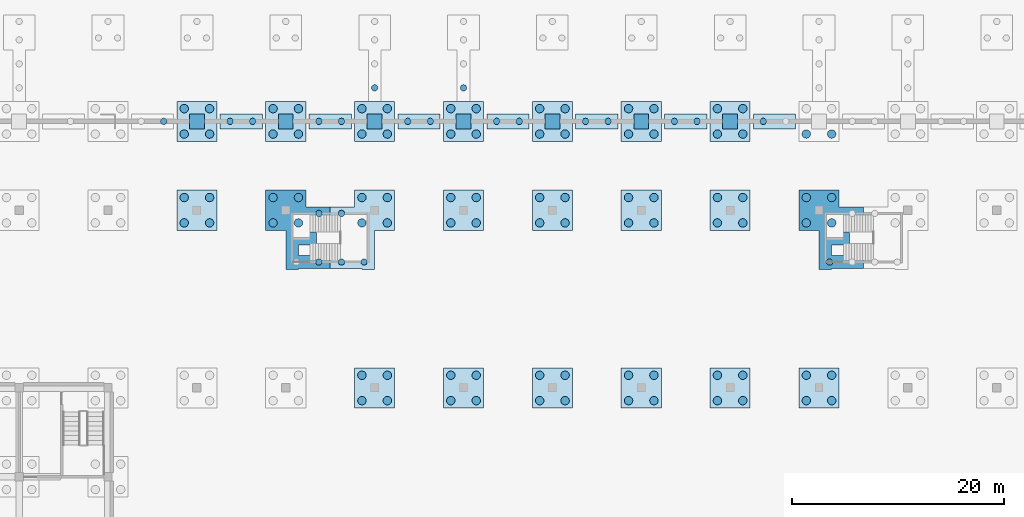
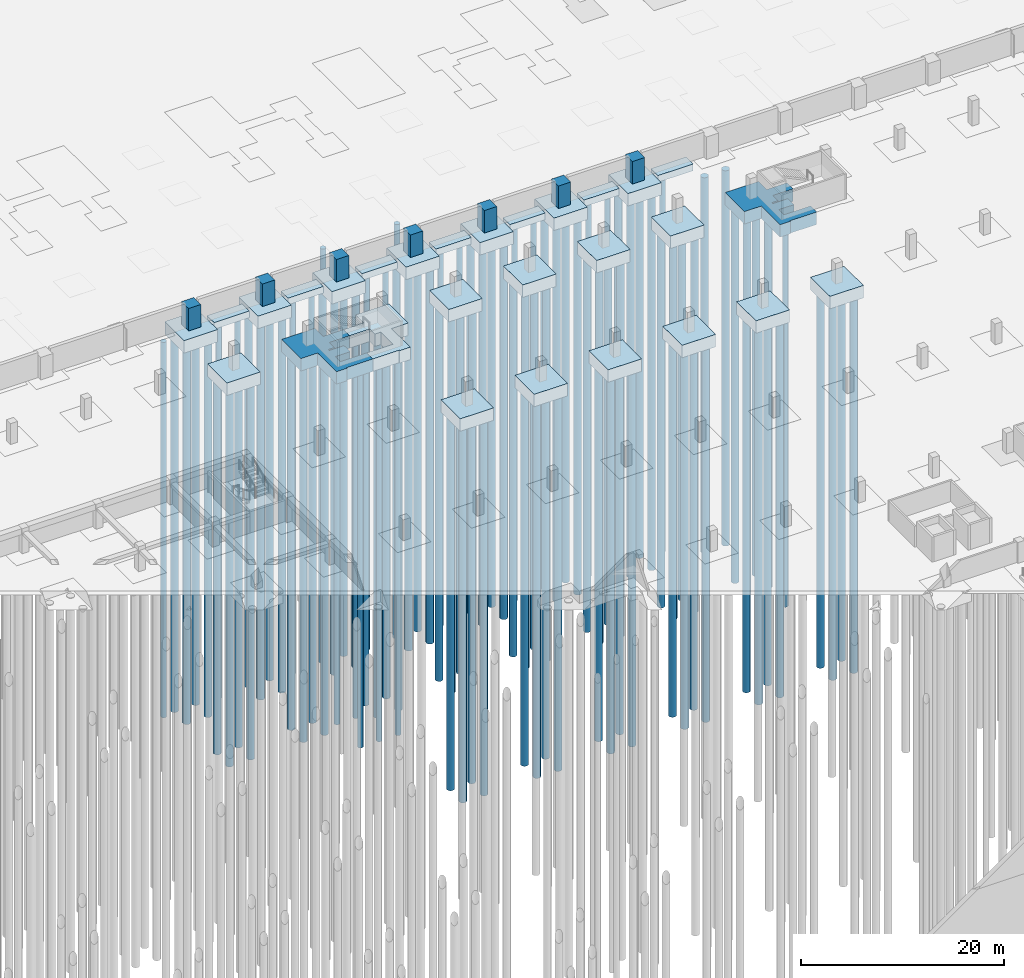
# One storey, part 5 of 67: 108 piles, 35 footings.
"""IFC4 building model written with IfcOpenShell, lengths in metres."""

from ifc_helpers import new_model, si_unit, direction, frame, origin, origin_2d, place, context, subcontext, project, spatial, polyline, circle, outline, extrude, material, material_profile, profile_set, type_object, element, save


model = new_model("IFC4")

# Units and contexts
model_context = context("Model", 3, precision=1e-05, world=origin(), true_north=direction((0.0, 1.0)))
body_context = subcontext(model_context, "Body", "Model", "MODEL_VIEW")
ifc_project = project(units=[si_unit("LENGTHUNIT", "METRE"), si_unit("AREAUNIT", "SQUARE_METRE"), si_unit("VOLUMEUNIT", "CUBIC_METRE"), si_unit("PLANEANGLEUNIT", "RADIAN"), si_unit("MASSUNIT", "GRAM", prefix="KILO")], contexts=[model_context])

# Site, building, storey
site_placement = place(None, origin())
site = spatial("IfcSite", under=ifc_project, at=site_placement, CompositionType="ELEMENT")
building_placement = place(site_placement, origin())
building = spatial("IfcBuilding", under=site, at=building_placement, Name="Rain Tree Exposition and Congress Centre", CompositionType="ELEMENT")
storey_placement = place(building_placement, frame((0.0, 0.0, -3.0)))
storey = spatial("IfcBuildingStorey", under=building, at=storey_placement, Name="B1", CompositionType="ELEMENT", Elevation=-3.0)

# Piles
ifc_material_1 = material(Name="Concrete C35/45", Category="concrete")
ifc_material_profile_1 = material_profile(ifc_material_1, circle(Radius=0.300048828125, at=origin_2d()), Name="D600")
ifc_profile_set_1 = profile_set([ifc_material_profile_1], Name="Concrete C35/45")
pile_type_1 = type_object("IfcPileType", Name="Bored pile D600", PredefinedType="BORED", material=ifc_profile_set_1)
for number, where, z_axis, x_axis, name in (
    (1, (70.333251953125, 62.300048828125, -1.425048828125), (0.0, 0.0, -1.0), (1.0, 0.0, 0.0), "Bored pile 0398"),
    (2, (70.333251953125, 66.89990234375, -1.425048828125), (0.0, 0.0, -1.0), (1.0, 0.0, 0.0), "Bored pile 0399"),
    (3, (72.466796875, 62.300048828125, -1.425048828125), (0.0, 0.0, -1.0), (1.0, 0.0, 0.0), "Bored pile 0400"),
    (4, (72.466796875, 66.89990234375, -1.425048828125), (0.0, 0.0, -1.0), (1.0, 0.0, 0.0), "Bored pile 0401"),
    (5, (74.60009765625, 62.300048828125, -1.425048828125), (0.0, 0.0, -1.0), (1.0, 0.0, 0.0), "Bored pile 0404"),
    (6, (118.60009765625, 62.300048828125, -1.425048828125), (0.0, 0.0, -1.0), (1.0, 0.0, 0.0), "Bored pile 0773"),
    (7, (84.0, 78.7666015625, 1.574951171875), (0.0, 0.0, -1.0), (1.0, 0.0, 0.0), "Bored pile 2159"),
    (8, (75.60009765625, 78.7666015625, 1.574951171875), (0.0, 0.0, -1.0), (1.0, 0.0, 0.0), "Bored pile 2163"),
    (9, (112.333251953125, 75.60009765625, -0.72509765625), (0.0, 0.0, -1.0), (1.0, 0.0, 0.0), "Bored pile 2460"),
    (10, (106.066650390625, 75.60009765625, -0.72509765625), (0.0, 0.0, -1.0), (1.0, 0.0, 0.0), "Bored pile 2461"),
    (11, (103.933349609375, 75.60009765625, -0.72509765625), (0.0, 0.0, -1.0), (1.0, 0.0, 0.0), "Bored pile 2462"),
    (12, (97.666748046875, 75.60009765625, -0.72509765625), (0.0, 0.0, -1.0), (1.0, 0.0, 0.0), "Bored pile 2463"),
    (13, (95.533203125, 75.60009765625, -0.72509765625), (0.0, 0.0, -1.0), (1.0, 0.0, 0.0), "Bored pile 2464"),
    (14, (89.2666015625, 75.60009765625, -0.72509765625), (0.0, 0.0, -1.0), (1.0, 0.0, 0.0), "Bored pile 2465"),
    (15, (87.13330078125, 75.60009765625, -0.72509765625), (0.0, 0.0, -1.0), (1.0, 0.0, 0.0), "Bored pile 2466"),
    (16, (80.86669921875, 75.60009765625, -0.72509765625), (0.0, 0.0, -1.0), (1.0, 0.0, 0.0), "Bored pile 2467"),
    (17, (78.7333984375, 75.60009765625, -0.72509765625), (0.0, 0.0, -1.0), (1.0, 0.0, 0.0), "Bored pile 2468"),
    (18, (72.466796875, 75.60009765625, -0.72509765625), (0.0, 0.0, -1.0), (1.0, 0.0, 0.0), "Bored pile 2469"),
    (19, (70.333251953125, 75.60009765625, -0.72509765625), (0.0, 0.0, -1.0), (1.0, 0.0, 0.0), "Bored pile 2470"),
    (20, (64.066650390625, 75.60009765625, -0.72509765625), (0.0, 0.0, -1.0), (1.0, 0.0, 0.0), "Bored pile 2471"),
    (21, (61.933349609375, 75.60009765625, -0.72509765625), (0.0, 0.0, -1.0), (1.0, 0.0, 0.0), "Bored pile 2472"),
    (22, (55.666748046875, 75.60009765625, -0.72509765625), (0.0, 0.0, -1.0), (1.0, 0.0, 0.0), "Bored pile 2473"),
):
    element("IfcPile", number, at=place(storey_placement, frame(where, z_axis=z_axis, x_axis=x_axis)), inside=storey, type_object=pile_type_1, Name=name, PredefinedType="BORED", context=body_context, shape_type="SweptSolid", body=[
        extrude(circle(Radius=0.300048828125, at=origin_2d()), origin(), (0.0, 0.0, 1.0), 45.074951171875),
    ])
ifc_material_2 = material(Name="Concrete C35/45", Category="concrete")
ifc_material_profile_2 = material_profile(ifc_material_2, circle(Radius=0.39990234375, at=origin_2d()), Name="D800")
ifc_profile_set_2 = profile_set([ifc_material_profile_2], Name="Concrete C35/45")
pile_type_2 = type_object("IfcPileType", Name="Bored pile D800", PredefinedType="BORED", material=ifc_profile_set_2)
for number, where, z_axis, x_axis, name in (
    (23, (57.60009765625, 66.0, -1.425048828125), (0.0, 0.0, -1.0), (1.0, 0.0, 0.0), "Bored pile 0381"),
    (24, (60.0, 66.0, -1.425048828125), (0.0, 0.0, -1.0), (1.0, 0.0, 0.0), "Bored pile 0382"),
    (25, (57.60009765625, 68.39990234375, -1.425048828125), (0.0, 0.0, -1.0), (1.0, 0.0, 0.0), "Bored pile 0383"),
    (26, (60.0, 68.39990234375, -1.425048828125), (0.0, 0.0, -1.0), (1.0, 0.0, 0.0), "Bored pile 0384"),
    (27, (66.0, 66.0, -1.425048828125), (0.0, 0.0, -1.0), (1.0, 0.0, 0.0), "Bored pile 0393"),
    (28, (66.0, 68.39990234375, -1.425048828125), (0.0, 0.0, -1.0), (1.0, 0.0, 0.0), "Bored pile 0394"),
    (29, (68.39990234375, 66.0, -1.425048828125), (0.0, 0.0, -1.0), (1.0, 0.0, 0.0), "Bored pile 0396"),
    (30, (68.39990234375, 68.39990234375, -1.425048828125), (0.0, 0.0, -1.0), (1.0, 0.0, 0.0), "Bored pile 0397"),
    (31, (74.39990234375, 66.0, -1.425048828125), (0.0, 0.0, -1.0), (1.0, 0.0, 0.0), "Bored pile 0402"),
    (32, (74.39990234375, 68.39990234375, -1.425048828125), (0.0, 0.0, -1.0), (1.0, 0.0, 0.0), "Bored pile 0403"),
    (33, (76.800048828125, 66.0, -1.425048828125), (0.0, 0.0, -1.0), (1.0, 0.0, 0.0), "Bored pile 0405"),
    (34, (76.800048828125, 68.39990234375, -1.425048828125), (0.0, 0.0, -1.0), (1.0, 0.0, 0.0), "Bored pile 0406"),
    (35, (57.60009765625, 74.39990234375, -1.425048828125), (0.0, 0.0, -1.0), (1.0, 0.0, 0.0), "Bored pile 0411"),
    (36, (60.0, 74.39990234375, -1.425048828125), (0.0, 0.0, -1.0), (1.0, 0.0, 0.0), "Bored pile 0412"),
    (37, (57.60009765625, 76.800048828125, -1.425048828125), (0.0, 0.0, -1.0), (1.0, 0.0, 0.0), "Bored pile 0413"),
    (38, (60.0, 76.800048828125, -1.425048828125), (0.0, 0.0, -1.0), (1.0, 0.0, 0.0), "Bored pile 0414"),
    (39, (66.0, 74.39990234375, -1.425048828125), (0.0, 0.0, -1.0), (1.0, 0.0, 0.0), "Bored pile 0415"),
    (40, (68.39990234375, 74.39990234375, -1.425048828125), (0.0, 0.0, -1.0), (1.0, 0.0, 0.0), "Bored pile 0416"),
    (41, (66.0, 76.800048828125, -1.425048828125), (0.0, 0.0, -1.0), (1.0, 0.0, 0.0), "Bored pile 0417"),
    (42, (68.39990234375, 76.800048828125, -1.425048828125), (0.0, 0.0, -1.0), (1.0, 0.0, 0.0), "Bored pile 0418"),
    (43, (82.800048828125, 49.199951171875, -1.425048828125), (0.0, 0.0, -1.0), (1.0, 0.0, 0.0), "Bored pile 0582"),
    (44, (85.199951171875, 49.199951171875, -1.425048828125), (0.0, 0.0, -1.0), (1.0, 0.0, 0.0), "Bored pile 0583"),
    (45, (82.800048828125, 51.60009765625, -1.425048828125), (0.0, 0.0, -1.0), (1.0, 0.0, 0.0), "Bored pile 0584"),
    (46, (85.199951171875, 51.60009765625, -1.425048828125), (0.0, 0.0, -1.0), (1.0, 0.0, 0.0), "Bored pile 0585"),
    (47, (74.39990234375, 49.199951171875, -1.425048828125), (0.0, 0.0, -1.0), (1.0, 0.0, 0.0), "Bored pile 0586"),
    (48, (76.800048828125, 49.199951171875, -1.425048828125), (0.0, 0.0, -1.0), (1.0, 0.0, 0.0), "Bored pile 0587"),
    (49, (74.39990234375, 51.60009765625, -1.425048828125), (0.0, 0.0, -1.0), (1.0, 0.0, 0.0), "Bored pile 0588"),
    (50, (76.800048828125, 51.60009765625, -1.425048828125), (0.0, 0.0, -1.0), (1.0, 0.0, 0.0), "Bored pile 0589"),
    (51, (91.199951171875, 49.199951171875, -1.425048828125), (0.0, 0.0, -1.0), (1.0, 0.0, 0.0), "Bored pile 0590"),
    (52, (93.60009765625, 49.199951171875, -1.425048828125), (0.0, 0.0, -1.0), (1.0, 0.0, 0.0), "Bored pile 0591"),
    (53, (91.199951171875, 51.60009765625, -1.425048828125), (0.0, 0.0, -1.0), (1.0, 0.0, 0.0), "Bored pile 0592"),
    (54, (93.60009765625, 51.60009765625, -1.425048828125), (0.0, 0.0, -1.0), (1.0, 0.0, 0.0), "Bored pile 0593"),
    (55, (99.60009765625, 66.0, -1.425048828125), (0.0, 0.0, -1.0), (1.0, 0.0, 0.0), "Bored pile 0594"),
    (56, (102.0, 66.0, -1.425048828125), (0.0, 0.0, -1.0), (1.0, 0.0, 0.0), "Bored pile 0595"),
    (57, (99.60009765625, 68.39990234375, -1.425048828125), (0.0, 0.0, -1.0), (1.0, 0.0, 0.0), "Bored pile 0596"),
    (58, (102.0, 68.39990234375, -1.425048828125), (0.0, 0.0, -1.0), (1.0, 0.0, 0.0), "Bored pile 0597"),
    (59, (82.800048828125, 66.0, -1.425048828125), (0.0, 0.0, -1.0), (1.0, 0.0, 0.0), "Bored pile 0598"),
    (60, (85.199951171875, 66.0, -1.425048828125), (0.0, 0.0, -1.0), (1.0, 0.0, 0.0), "Bored pile 0599"),
    (61, (82.800048828125, 68.39990234375, -1.425048828125), (0.0, 0.0, -1.0), (1.0, 0.0, 0.0), "Bored pile 0600"),
    (62, (85.199951171875, 68.39990234375, -1.425048828125), (0.0, 0.0, -1.0), (1.0, 0.0, 0.0), "Bored pile 0601"),
    (63, (91.199951171875, 66.0, -1.425048828125), (0.0, 0.0, -1.0), (1.0, 0.0, 0.0), "Bored pile 0602"),
    (64, (93.60009765625, 66.0, -1.425048828125), (0.0, 0.0, -1.0), (1.0, 0.0, 0.0), "Bored pile 0603"),
    (65, (91.199951171875, 68.39990234375, -1.425048828125), (0.0, 0.0, -1.0), (1.0, 0.0, 0.0), "Bored pile 0604"),
    (66, (93.60009765625, 68.39990234375, -1.425048828125), (0.0, 0.0, -1.0), (1.0, 0.0, 0.0), "Bored pile 0605"),
    (67, (74.39990234375, 74.39990234375, -1.425048828125), (0.0, 0.0, -1.0), (1.0, 0.0, 0.0), "Bored pile 0606"),
    (68, (76.800048828125, 74.39990234375, -1.425048828125), (0.0, 0.0, -1.0), (1.0, 0.0, 0.0), "Bored pile 0607"),
    (69, (74.39990234375, 76.800048828125, -1.425048828125), (0.0, 0.0, -1.0), (1.0, 0.0, 0.0), "Bored pile 0608"),
    (70, (76.800048828125, 76.800048828125, -1.425048828125), (0.0, 0.0, -1.0), (1.0, 0.0, 0.0), "Bored pile 0609"),
    (71, (82.800048828125, 74.39990234375, -1.425048828125), (0.0, 0.0, -1.0), (1.0, 0.0, 0.0), "Bored pile 0610"),
    (72, (85.199951171875, 74.39990234375, -1.425048828125), (0.0, 0.0, -1.0), (1.0, 0.0, 0.0), "Bored pile 0611"),
    (73, (82.800048828125, 76.800048828125, -1.425048828125), (0.0, 0.0, -1.0), (1.0, 0.0, 0.0), "Bored pile 0612"),
    (74, (85.199951171875, 76.800048828125, -1.425048828125), (0.0, 0.0, -1.0), (1.0, 0.0, 0.0), "Bored pile 0613"),
    (75, (91.199951171875, 74.39990234375, -1.425048828125), (0.0, 0.0, -1.0), (1.0, 0.0, 0.0), "Bored pile 0614"),
    (76, (93.60009765625, 74.39990234375, -1.425048828125), (0.0, 0.0, -1.0), (1.0, 0.0, 0.0), "Bored pile 0615"),
    (77, (91.199951171875, 76.800048828125, -1.425048828125), (0.0, 0.0, -1.0), (1.0, 0.0, 0.0), "Bored pile 0616"),
    (78, (93.60009765625, 76.800048828125, -1.425048828125), (0.0, 0.0, -1.0), (1.0, 0.0, 0.0), "Bored pile 0617"),
    (79, (99.60009765625, 74.39990234375, -1.425048828125), (0.0, 0.0, -1.0), (1.0, 0.0, 0.0), "Bored pile 0618"),
    (80, (102.0, 74.39990234375, -1.425048828125), (0.0, 0.0, -1.0), (1.0, 0.0, 0.0), "Bored pile 0619"),
    (81, (99.60009765625, 76.800048828125, -1.425048828125), (0.0, 0.0, -1.0), (1.0, 0.0, 0.0), "Bored pile 0620"),
    (82, (102.0, 76.800048828125, -1.425048828125), (0.0, 0.0, -1.0), (1.0, 0.0, 0.0), "Bored pile 0621"),
    (83, (99.60009765625, 49.199951171875, -1.425048828125), (0.0, 0.0, -1.0), (1.0, 0.0, 0.0), "Bored pile 0759"),
    (84, (102.0, 49.199951171875, -1.425048828125), (0.0, 0.0, -1.0), (1.0, 0.0, 0.0), "Bored pile 0760"),
    (85, (99.60009765625, 51.60009765625, -1.425048828125), (0.0, 0.0, -1.0), (1.0, 0.0, 0.0), "Bored pile 0761"),
    (86, (102.0, 51.60009765625, -1.425048828125), (0.0, 0.0, -1.0), (1.0, 0.0, 0.0), "Bored pile 0762"),
    (87, (116.39990234375, 49.199951171875, -1.425048828125), (0.0, 0.0, -1.0), (1.0, 0.0, 0.0), "Bored pile 0763"),
    (88, (118.800048828125, 49.199951171875, -1.425048828125), (0.0, 0.0, -1.0), (1.0, 0.0, 0.0), "Bored pile 0764"),
    (89, (116.39990234375, 51.60009765625, -1.425048828125), (0.0, 0.0, -1.0), (1.0, 0.0, 0.0), "Bored pile 0765"),
    (90, (118.800048828125, 51.60009765625, -1.425048828125), (0.0, 0.0, -1.0), (1.0, 0.0, 0.0), "Bored pile 0766"),
    (91, (108.0, 49.199951171875, -1.425048828125), (0.0, 0.0, -1.0), (1.0, 0.0, 0.0), "Bored pile 0767"),
    (92, (110.39990234375, 49.199951171875, -1.425048828125), (0.0, 0.0, -1.0), (1.0, 0.0, 0.0), "Bored pile 0768"),
    (93, (108.0, 51.60009765625, -1.425048828125), (0.0, 0.0, -1.0), (1.0, 0.0, 0.0), "Bored pile 0769"),
    (94, (110.39990234375, 51.60009765625, -1.425048828125), (0.0, 0.0, -1.0), (1.0, 0.0, 0.0), "Bored pile 0770"),
    (95, (116.39990234375, 66.0, -1.425048828125), (0.0, 0.0, -1.0), (1.0, 0.0, 0.0), "Bored pile 0771"),
    (96, (116.39990234375, 68.39990234375, -1.425048828125), (0.0, 0.0, -1.0), (1.0, 0.0, 0.0), "Bored pile 0772"),
    (97, (118.800048828125, 66.0, -1.425048828125), (0.0, 0.0, -1.0), (1.0, 0.0, 0.0), "Bored pile 0774"),
    (98, (118.800048828125, 68.39990234375, -1.425048828125), (0.0, 0.0, -1.0), (1.0, 0.0, 0.0), "Bored pile 0775"),
    (99, (108.0, 66.0, -1.425048828125), (0.0, 0.0, -1.0), (1.0, 0.0, 0.0), "Bored pile 0785"),
    (100, (110.39990234375, 66.0, -1.425048828125), (0.0, 0.0, -1.0), (1.0, 0.0, 0.0), "Bored pile 0786"),
    (101, (108.0, 68.39990234375, -1.425048828125), (0.0, 0.0, -1.0), (1.0, 0.0, 0.0), "Bored pile 0787"),
    (102, (110.39990234375, 68.39990234375, -1.425048828125), (0.0, 0.0, -1.0), (1.0, 0.0, 0.0), "Bored pile 0788"),
    (103, (108.0, 74.39990234375, -1.425048828125), (0.0, 0.0, -1.0), (1.0, 0.0, 0.0), "Bored pile 0789"),
    (104, (110.39990234375, 74.39990234375, -1.425048828125), (0.0, 0.0, -1.0), (1.0, 0.0, 0.0), "Bored pile 0790"),
    (105, (108.0, 76.800048828125, -1.425048828125), (0.0, 0.0, -1.0), (1.0, 0.0, 0.0), "Bored pile 0791"),
    (106, (110.39990234375, 76.800048828125, -1.425048828125), (0.0, 0.0, -1.0), (1.0, 0.0, 0.0), "Bored pile 0792"),
    (107, (116.39990234375, 74.39990234375, -1.425048828125), (0.0, 0.0, -1.0), (1.0, 0.0, 0.0), "Bored pile 0793"),
    (108, (118.800048828125, 74.39990234375, -1.425048828125), (0.0, 0.0, -1.0), (1.0, 0.0, 0.0), "Bored pile 0794"),
):
    element("IfcPile", number, at=place(storey_placement, frame(where, z_axis=z_axis, x_axis=x_axis)), inside=storey, type_object=pile_type_2, Name=name, PredefinedType="BORED", context=body_context, shape_type="SweptSolid", body=[
        extrude(circle(Radius=0.39990234375, at=origin_2d()), origin(), (0.0, 0.0, 1.0), 45.074951171875),
    ])

# Footings
ifc_material_3 = material(Name="Concrete C35/45", Category="concrete")
footing_type_1 = type_object("IfcFootingType", Name="Pier cap 2700 thick", PredefinedType="PILE_CAP", material=ifc_material_3)
footing_1_placement = place(storey_placement, origin())
element("IfcFooting", 109, at=footing_1_placement, inside=storey, type_object=footing_type_1, Name="Pier cap 037", PredefinedType="PILE_CAP", context=body_context, shape_type="SweptSolid", body=[
    extrude(outline(polyline([(58.10009765625, 74.89990234375), (59.5, 74.89990234375), (59.5, 76.300048828125), (58.10009765625, 76.300048828125), (58.10009765625, 74.89990234375)])), origin(), (0.0, 0.0, 1.0), 2.699951171875),
])
footing_2_placement = place(storey_placement, origin())
element("IfcFooting", 110, at=footing_2_placement, inside=storey, type_object=footing_type_1, Name="Pier cap 038", PredefinedType="PILE_CAP", context=body_context, shape_type="SweptSolid", body=[
    extrude(outline(polyline([(66.5, 74.89990234375), (67.89990234375, 74.89990234375), (67.89990234375, 76.300048828125), (66.5, 76.300048828125), (66.5, 74.89990234375)])), origin(), (0.0, 0.0, 1.0), 2.699951171875),
])
footing_3_placement = place(storey_placement, origin())
element("IfcFooting", 111, at=footing_3_placement, inside=storey, type_object=footing_type_1, Name="Pier cap 039", PredefinedType="PILE_CAP", context=body_context, shape_type="SweptSolid", body=[
    extrude(outline(polyline([(74.89990234375, 74.89990234375), (76.300048828125, 74.89990234375), (76.300048828125, 76.300048828125), (74.89990234375, 76.300048828125), (74.89990234375, 74.89990234375)])), origin(), (0.0, 0.0, 1.0), 2.699951171875),
])
footing_4_placement = place(storey_placement, origin())
element("IfcFooting", 112, at=footing_4_placement, inside=storey, type_object=footing_type_1, Name="Pier cap 040", PredefinedType="PILE_CAP", context=body_context, shape_type="SweptSolid", body=[
    extrude(outline(polyline([(83.300048828125, 74.89990234375), (84.699951171875, 74.89990234375), (84.699951171875, 76.300048828125), (83.300048828125, 76.300048828125), (83.300048828125, 74.89990234375)])), origin(), (0.0, 0.0, 1.0), 2.699951171875),
])
footing_5_placement = place(storey_placement, origin())
element("IfcFooting", 113, at=footing_5_placement, inside=storey, type_object=footing_type_1, Name="Pier cap 041", PredefinedType="PILE_CAP", context=body_context, shape_type="SweptSolid", body=[
    extrude(outline(polyline([(91.699951171875, 74.89990234375), (93.10009765625, 74.89990234375), (93.10009765625, 76.300048828125), (91.699951171875, 76.300048828125), (91.699951171875, 74.89990234375)])), origin(), (0.0, 0.0, 1.0), 2.699951171875),
])
footing_6_placement = place(storey_placement, origin())
element("IfcFooting", 114, at=footing_6_placement, inside=storey, type_object=footing_type_1, Name="Pier cap 042", PredefinedType="PILE_CAP", context=body_context, shape_type="SweptSolid", body=[
    extrude(outline(polyline([(100.10009765625, 74.89990234375), (101.5, 74.89990234375), (101.5, 76.300048828125), (100.10009765625, 76.300048828125), (100.10009765625, 74.89990234375)])), origin(), (0.0, 0.0, 1.0), 2.699951171875),
])
footing_7_placement = place(storey_placement, origin())
element("IfcFooting", 115, at=footing_7_placement, inside=storey, type_object=footing_type_1, Name="Pier cap 043", PredefinedType="PILE_CAP", context=body_context, shape_type="SweptSolid", body=[
    extrude(outline(polyline([(108.5, 74.89990234375), (109.89990234375, 74.89990234375), (109.89990234375, 76.300048828125), (108.5, 76.300048828125), (108.5, 74.89990234375)])), origin(), (0.0, 0.0, 1.0), 2.699951171875),
])
ifc_material_4 = material(Name="Concrete C35/45", Category="concrete")
footing_type_2 = type_object("IfcFootingType", Name="Pile cap 1500 thick", PredefinedType="PILE_CAP", material=ifc_material_4)
footing_8_placement = place(storey_placement, frame((0.0, 0.0, -1.5)))
element("IfcFooting", 116, at=footing_8_placement, inside=storey, type_object=footing_type_2, Name="Pile cap 078", PredefinedType="PILE_CAP", context=body_context, shape_type="SweptSolid", body=[
    extrude(outline(polyline([(60.699951171875, 65.300048828125), (60.699951171875, 69.10009765625), (56.89990234375, 69.10009765625), (56.89990234375, 65.300048828125), (60.699951171875, 65.300048828125)])), origin(), (0.0, 0.0, 1.0), 1.5),
])
footing_9_placement = place(storey_placement, frame((0.0, 0.0, -1.5)))
element("IfcFooting", 117, at=footing_9_placement, inside=storey, type_object=footing_type_2, Name="Pile cap 082", PredefinedType="PILE_CAP", context=body_context, shape_type="SweptSolid", body=[
    extrude(outline(polyline([(60.699951171875, 73.699951171875), (60.699951171875, 77.5), (56.89990234375, 77.5), (56.89990234375, 73.699951171875), (60.699951171875, 73.699951171875)])), origin(), (0.0, 0.0, 1.0), 1.5),
])
footing_10_placement = place(storey_placement, frame((0.0, 0.0, -1.5)))
element("IfcFooting", 118, at=footing_10_placement, inside=storey, type_object=footing_type_2, Name="Pile cap 083", PredefinedType="PILE_CAP", context=body_context, shape_type="SweptSolid", body=[
    extrude(outline(polyline([(69.10009765625, 73.699951171875), (69.10009765625, 77.5), (65.300048828125, 77.5), (65.300048828125, 73.699951171875), (69.10009765625, 73.699951171875)])), origin(), (0.0, 0.0, 1.0), 1.5),
])
footing_11_placement = place(storey_placement, frame((0.0, 0.0, -1.5)))
element("IfcFooting", 119, at=footing_11_placement, inside=storey, type_object=footing_type_2, Name="Pile cap 113", PredefinedType="PILE_CAP", context=body_context, shape_type="SweptSolid", body=[
    extrude(outline(polyline([(85.89990234375, 48.5), (85.89990234375, 52.300048828125), (82.10009765625, 52.300048828125), (82.10009765625, 48.5), (85.89990234375, 48.5)])), origin(), (0.0, 0.0, 1.0), 1.5),
])
footing_12_placement = place(storey_placement, frame((0.0, 0.0, -1.5)))
element("IfcFooting", 120, at=footing_12_placement, inside=storey, type_object=footing_type_2, Name="Pile cap 114", PredefinedType="PILE_CAP", context=body_context, shape_type="SweptSolid", body=[
    extrude(outline(polyline([(77.5, 48.5), (77.5, 52.300048828125), (73.699951171875, 52.300048828125), (73.699951171875, 48.5), (77.5, 48.5)])), origin(), (0.0, 0.0, 1.0), 1.5),
])
footing_13_placement = place(storey_placement, frame((0.0, 0.0, -1.5)))
element("IfcFooting", 121, at=footing_13_placement, inside=storey, type_object=footing_type_2, Name="Pile cap 115", PredefinedType="PILE_CAP", context=body_context, shape_type="SweptSolid", body=[
    extrude(outline(polyline([(94.300048828125, 48.5), (94.300048828125, 52.300048828125), (90.5, 52.300048828125), (90.5, 48.5), (94.300048828125, 48.5)])), origin(), (0.0, 0.0, 1.0), 1.5),
])
footing_14_placement = place(storey_placement, frame((0.0, 0.0, -1.5)))
element("IfcFooting", 122, at=footing_14_placement, inside=storey, type_object=footing_type_2, Name="Pile cap 116", PredefinedType="PILE_CAP", context=body_context, shape_type="SweptSolid", body=[
    extrude(outline(polyline([(102.699951171875, 65.300048828125), (102.699951171875, 69.10009765625), (98.89990234375, 69.10009765625), (98.89990234375, 65.300048828125), (102.699951171875, 65.300048828125)])), origin(), (0.0, 0.0, 1.0), 1.5),
])
footing_15_placement = place(storey_placement, frame((0.0, 0.0, -1.5)))
element("IfcFooting", 123, at=footing_15_placement, inside=storey, type_object=footing_type_2, Name="Pile cap 117", PredefinedType="PILE_CAP", context=body_context, shape_type="SweptSolid", body=[
    extrude(outline(polyline([(85.89990234375, 65.300048828125), (85.89990234375, 69.10009765625), (82.10009765625, 69.10009765625), (82.10009765625, 65.300048828125), (85.89990234375, 65.300048828125)])), origin(), (0.0, 0.0, 1.0), 1.5),
])
footing_16_placement = place(storey_placement, frame((0.0, 0.0, -1.5)))
element("IfcFooting", 124, at=footing_16_placement, inside=storey, type_object=footing_type_2, Name="Pile cap 118", PredefinedType="PILE_CAP", context=body_context, shape_type="SweptSolid", body=[
    extrude(outline(polyline([(94.300048828125, 65.300048828125), (94.300048828125, 69.10009765625), (90.5, 69.10009765625), (90.5, 65.300048828125), (94.300048828125, 65.300048828125)])), origin(), (0.0, 0.0, 1.0), 1.5),
])
footing_17_placement = place(storey_placement, frame((0.0, 0.0, -1.5)))
element("IfcFooting", 125, at=footing_17_placement, inside=storey, type_object=footing_type_2, Name="Pile cap 119", PredefinedType="PILE_CAP", context=body_context, shape_type="SweptSolid", body=[
    extrude(outline(polyline([(77.5, 73.699951171875), (77.5, 77.5), (73.699951171875, 77.5), (73.699951171875, 73.699951171875), (77.5, 73.699951171875)])), origin(), (0.0, 0.0, 1.0), 1.5),
])
footing_18_placement = place(storey_placement, frame((0.0, 0.0, -1.5)))
element("IfcFooting", 126, at=footing_18_placement, inside=storey, type_object=footing_type_2, Name="Pile cap 120", PredefinedType="PILE_CAP", context=body_context, shape_type="SweptSolid", body=[
    extrude(outline(polyline([(85.89990234375, 73.699951171875), (85.89990234375, 77.5), (82.10009765625, 77.5), (82.10009765625, 73.699951171875), (85.89990234375, 73.699951171875)])), origin(), (0.0, 0.0, 1.0), 1.5),
])
footing_19_placement = place(storey_placement, frame((0.0, 0.0, -1.5)))
element("IfcFooting", 127, at=footing_19_placement, inside=storey, type_object=footing_type_2, Name="Pile cap 121", PredefinedType="PILE_CAP", context=body_context, shape_type="SweptSolid", body=[
    extrude(outline(polyline([(94.300048828125, 73.699951171875), (94.300048828125, 77.5), (90.5, 77.5), (90.5, 73.699951171875), (94.300048828125, 73.699951171875)])), origin(), (0.0, 0.0, 1.0), 1.5),
])
footing_20_placement = place(storey_placement, frame((0.0, 0.0, -1.5)))
element("IfcFooting", 128, at=footing_20_placement, inside=storey, type_object=footing_type_2, Name="Pile cap 122", PredefinedType="PILE_CAP", context=body_context, shape_type="SweptSolid", body=[
    extrude(outline(polyline([(102.699951171875, 73.699951171875), (102.699951171875, 77.5), (98.89990234375, 77.5), (98.89990234375, 73.699951171875), (102.699951171875, 73.699951171875)])), origin(), (0.0, 0.0, 1.0), 1.5),
])
footing_21_placement = place(storey_placement, frame((0.0, 0.0, -1.5)))
element("IfcFooting", 129, at=footing_21_placement, inside=storey, type_object=footing_type_2, Name="Pile cap 149", PredefinedType="PILE_CAP", context=body_context, shape_type="SweptSolid", body=[
    extrude(outline(polyline([(102.699951171875, 48.5), (102.699951171875, 52.300048828125), (98.89990234375, 52.300048828125), (98.89990234375, 48.5), (102.699951171875, 48.5)])), origin(), (0.0, 0.0, 1.0), 1.5),
])
footing_22_placement = place(storey_placement, frame((0.0, 0.0, -1.5)))
element("IfcFooting", 130, at=footing_22_placement, inside=storey, type_object=footing_type_2, Name="Pile cap 150", PredefinedType="PILE_CAP", context=body_context, shape_type="SweptSolid", body=[
    extrude(outline(polyline([(119.5, 48.5), (119.5, 52.300048828125), (115.699951171875, 52.300048828125), (115.699951171875, 48.5), (119.5, 48.5)])), origin(), (0.0, 0.0, 1.0), 1.5),
])
footing_23_placement = place(storey_placement, frame((0.0, 0.0, -1.5)))
element("IfcFooting", 131, at=footing_23_placement, inside=storey, type_object=footing_type_2, Name="Pile cap 151", PredefinedType="PILE_CAP", context=body_context, shape_type="SweptSolid", body=[
    extrude(outline(polyline([(111.10009765625, 48.5), (111.10009765625, 52.300048828125), (107.300048828125, 52.300048828125), (107.300048828125, 48.5), (111.10009765625, 48.5)])), origin(), (0.0, 0.0, 1.0), 1.5),
])
footing_24_placement = place(storey_placement, frame((0.0, 0.0, -1.5)))
element("IfcFooting", 132, at=footing_24_placement, inside=storey, type_object=footing_type_2, Name="Pile cap 152", PredefinedType="PILE_CAP", context=body_context, shape_type="SweptSolid", body=[
    extrude(outline(polyline([(111.10009765625, 65.300048828125), (111.10009765625, 69.10009765625), (107.300048828125, 69.10009765625), (107.300048828125, 65.300048828125), (111.10009765625, 65.300048828125)])), origin(), (0.0, 0.0, 1.0), 1.5),
])
footing_25_placement = place(storey_placement, frame((0.0, 0.0, -1.5)))
element("IfcFooting", 133, at=footing_25_placement, inside=storey, type_object=footing_type_2, Name="Pile cap 153", PredefinedType="PILE_CAP", context=body_context, shape_type="SweptSolid", body=[
    extrude(outline(polyline([(111.10009765625, 73.699951171875), (111.10009765625, 77.5), (107.300048828125, 77.5), (107.300048828125, 73.699951171875), (111.10009765625, 73.699951171875)])), origin(), (0.0, 0.0, 1.0), 1.5),
])
ifc_material_5 = material(Name="Concrete C35/45", Category="concrete")
footing_type_3 = type_object("IfcFootingType", Name="Strip footing 1500 thick", PredefinedType="STRIP_FOOTING", material=ifc_material_5)
footing_26_placement = place(storey_placement, frame((0.0, 0.0, -1.5)))
element("IfcFooting", 134, at=footing_26_placement, inside=storey, type_object=footing_type_3, Name="Strip footing 007", PredefinedType="STRIP_FOOTING", context=body_context, shape_type="SweptSolid", body=[
    extrude(outline(polyline([(68.39990234375, 61.60009765625), (68.39990234375, 61.699951171875), (71.39990234375, 61.699951171875), (71.39990234375, 62.89990234375), (68.39990234375, 62.89990234375), (68.39990234375, 63.89990234375), (70.10009765625, 63.89990234375), (70.10009765625, 65.10009765625), (69.5, 65.10009765625), (68.39990234375, 65.10009765625), (68.39990234375, 65.300048828125), (69.10009765625, 65.300048828125), (69.10009765625, 66.300048828125), (71.39990234375, 66.300048828125), (71.39990234375, 67.5), (69.10009765625, 67.5), (69.10009765625, 69.10009765625), (65.300048828125, 69.10009765625), (65.300048828125, 65.300048828125), (67.199951171875, 65.300048828125), (67.199951171875, 61.60009765625), (68.39990234375, 61.60009765625)])), origin(), (0.0, 0.0, 1.0), 1.5),
])
footing_27_placement = place(storey_placement, frame((0.0, 0.0, -1.5)))
element("IfcFooting", 135, at=footing_27_placement, inside=storey, type_object=footing_type_3, Name="Strip footing 008", PredefinedType="STRIP_FOOTING", context=body_context, shape_type="SweptSolid", body=[
    extrude(outline(polyline([(73.699951171875, 67.5), (71.39990234375, 67.5), (71.39990234375, 66.300048828125), (73.699951171875, 66.300048828125), (73.699951171875, 65.300048828125), (74.39990234375, 65.300048828125), (74.39990234375, 62.89990234375), (71.39990234375, 62.89990234375), (71.39990234375, 61.699951171875), (74.39990234375, 61.699951171875), (74.39990234375, 61.60009765625), (75.60009765625, 61.60009765625), (75.60009765625, 62.199951171875), (75.60009765625, 65.300048828125), (77.5, 65.300048828125), (77.5, 69.10009765625), (73.699951171875, 69.10009765625), (73.699951171875, 67.5)])), origin(), (0.0, 0.0, 1.0), 1.5),
])
footing_28_placement = place(storey_placement, frame((0.0, 0.0, -1.5)))
element("IfcFooting", 136, at=footing_28_placement, inside=storey, type_object=footing_type_3, Name="Strip footing 022", PredefinedType="STRIP_FOOTING", context=body_context, shape_type="SweptSolid", body=[
    extrude(outline(polyline([(118.800048828125, 61.60009765625), (118.800048828125, 61.699951171875), (121.800048828125, 61.699951171875), (121.800048828125, 62.89990234375), (118.800048828125, 62.89990234375), (118.800048828125, 63.89990234375), (120.5, 63.89990234375), (120.5, 65.10009765625), (119.89990234375, 65.10009765625), (118.800048828125, 65.10009765625), (118.800048828125, 65.300048828125), (119.5, 65.300048828125), (119.5, 66.300048828125), (121.800048828125, 66.300048828125), (121.800048828125, 67.5), (119.5, 67.5), (119.5, 69.10009765625), (115.699951171875, 69.10009765625), (115.699951171875, 65.300048828125), (117.60009765625, 65.300048828125), (117.60009765625, 61.60009765625), (118.800048828125, 61.60009765625)])), origin(), (0.0, 0.0, 1.0), 1.5),
])
ifc_material_6 = material(Name="Concrete C35/45", Category="concrete")
footing_type_4 = type_object("IfcFootingType", Name="Strip footing 800 thick", PredefinedType="STRIP_FOOTING", material=ifc_material_6)
footing_29_placement = place(storey_placement, frame((0.0, 0.0, -0.800048828125)))
element("IfcFooting", 137, at=footing_29_placement, inside=storey, type_object=footing_type_4, Name="Strip footing 118", PredefinedType="STRIP_FOOTING", context=body_context, shape_type="SweptSolid", body=[
    extrude(outline(polyline([(115.39990234375, 74.89990234375), (115.39990234375, 76.300048828125), (111.39990234375, 76.300048828125), (111.39990234375, 74.89990234375), (115.39990234375, 74.89990234375)])), origin(), (0.0, 0.0, 1.0), 0.800048828125),
])
footing_30_placement = place(storey_placement, frame((0.0, 0.0, -0.800048828125)))
element("IfcFooting", 138, at=footing_30_placement, inside=storey, type_object=footing_type_4, Name="Strip footing 119", PredefinedType="STRIP_FOOTING", context=body_context, shape_type="SweptSolid", body=[
    extrude(outline(polyline([(107.0, 74.89990234375), (107.0, 76.300048828125), (103.0, 76.300048828125), (103.0, 74.89990234375), (107.0, 74.89990234375)])), origin(), (0.0, 0.0, 1.0), 0.800048828125),
])
footing_31_placement = place(storey_placement, frame((0.0, 0.0, -0.800048828125)))
element("IfcFooting", 139, at=footing_31_placement, inside=storey, type_object=footing_type_4, Name="Strip footing 120", PredefinedType="STRIP_FOOTING", context=body_context, shape_type="SweptSolid", body=[
    extrude(outline(polyline([(98.60009765625, 74.89990234375), (98.60009765625, 76.300048828125), (94.60009765625, 76.300048828125), (94.60009765625, 74.89990234375), (98.60009765625, 74.89990234375)])), origin(), (0.0, 0.0, 1.0), 0.800048828125),
])
footing_32_placement = place(storey_placement, frame((0.0, 0.0, -0.800048828125)))
element("IfcFooting", 140, at=footing_32_placement, inside=storey, type_object=footing_type_4, Name="Strip footing 121", PredefinedType="STRIP_FOOTING", context=body_context, shape_type="SweptSolid", body=[
    extrude(outline(polyline([(90.199951171875, 74.89990234375), (90.199951171875, 76.300048828125), (86.199951171875, 76.300048828125), (86.199951171875, 74.89990234375), (90.199951171875, 74.89990234375)])), origin(), (0.0, 0.0, 1.0), 0.800048828125),
])
footing_33_placement = place(storey_placement, frame((0.0, 0.0, -0.800048828125)))
element("IfcFooting", 141, at=footing_33_placement, inside=storey, type_object=footing_type_4, Name="Strip footing 122", PredefinedType="STRIP_FOOTING", context=body_context, shape_type="SweptSolid", body=[
    extrude(outline(polyline([(81.800048828125, 74.89990234375), (81.800048828125, 76.300048828125), (77.800048828125, 76.300048828125), (77.800048828125, 74.89990234375), (81.800048828125, 74.89990234375)])), origin(), (0.0, 0.0, 1.0), 0.800048828125),
])
footing_34_placement = place(storey_placement, frame((0.0, 0.0, -0.800048828125)))
element("IfcFooting", 142, at=footing_34_placement, inside=storey, type_object=footing_type_4, Name="Strip footing 123", PredefinedType="STRIP_FOOTING", context=body_context, shape_type="SweptSolid", body=[
    extrude(outline(polyline([(73.39990234375, 74.89990234375), (73.39990234375, 76.300048828125), (69.39990234375, 76.300048828125), (69.39990234375, 74.89990234375), (73.39990234375, 74.89990234375)])), origin(), (0.0, 0.0, 1.0), 0.800048828125),
])
footing_35_placement = place(storey_placement, frame((0.0, 0.0, -0.800048828125)))
element("IfcFooting", 143, at=footing_35_placement, inside=storey, type_object=footing_type_4, Name="Strip footing 124", PredefinedType="STRIP_FOOTING", context=body_context, shape_type="SweptSolid", body=[
    extrude(outline(polyline([(65.0, 74.89990234375), (65.0, 76.300048828125), (61.0, 76.300048828125), (61.0, 74.89990234375), (65.0, 74.89990234375)])), origin(), (0.0, 0.0, 1.0), 0.800048828125),
])

save(model, "model.ifc")
